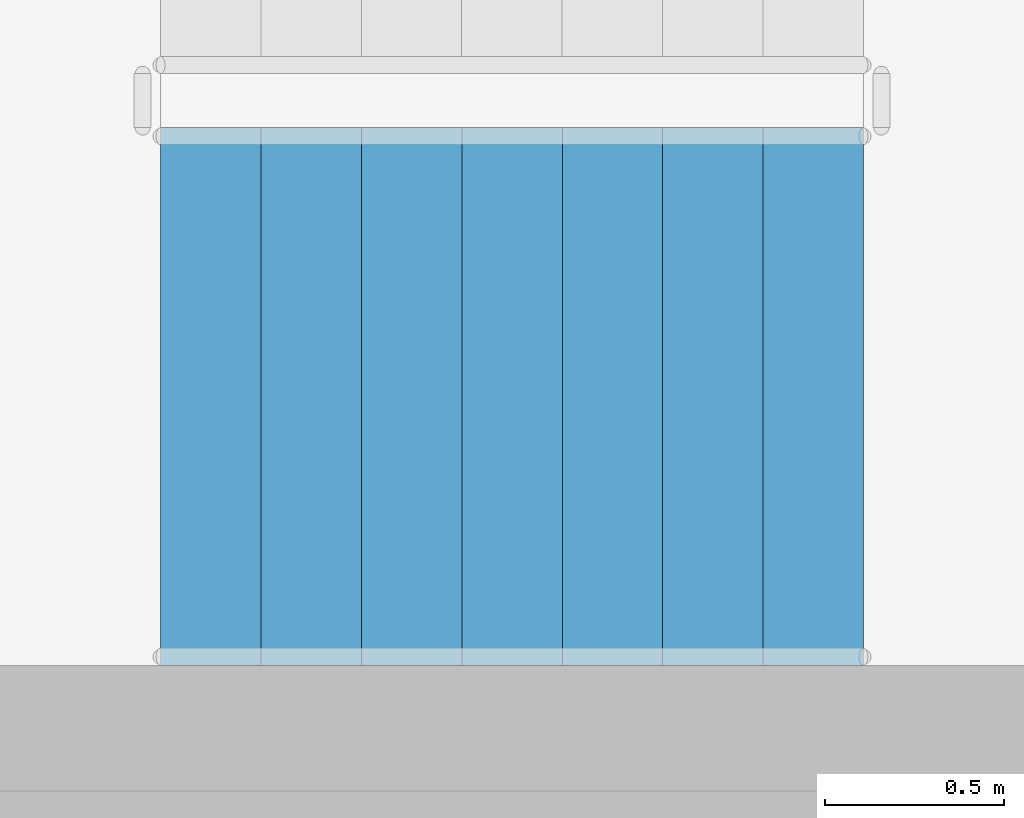
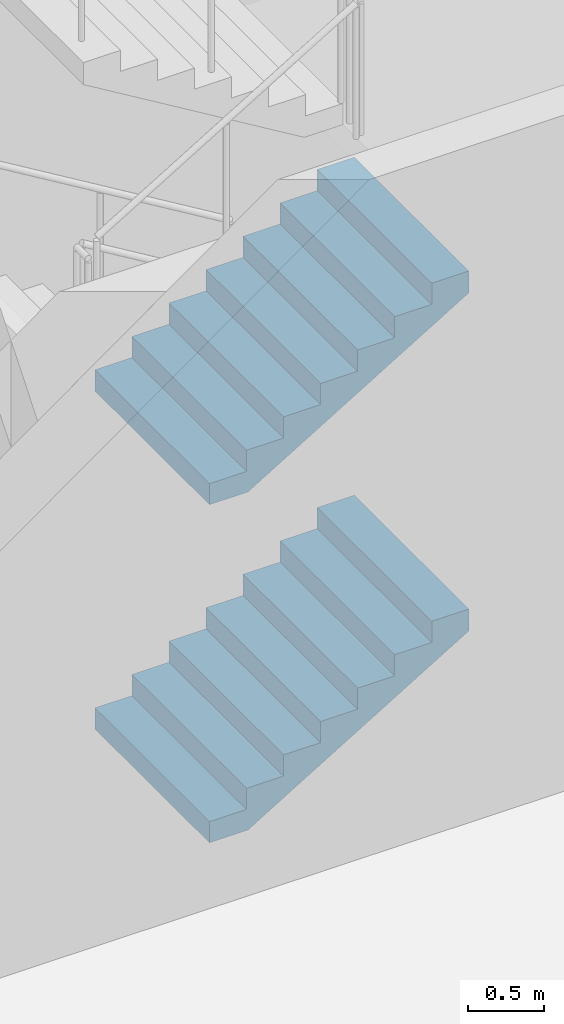
# One storey, part 51 of 101: 2 stair flights, 1 element without a shape of its own.
"""IFC4 building model written with IfcOpenShell, lengths in metres."""

from ifc_helpers import new_model, si_unit, direction, frame, origin, place, context, subcontext, project, spatial, triangles, material, type_object, element, aggregate, save


model = new_model("IFC4")

# Units and contexts
model_context = context("Model", 3, precision=1e-05, world=origin(), true_north=direction((0.0, 1.0)))
body_context = subcontext(model_context, "Body", "Model", "MODEL_VIEW")
ifc_project = project(units=[si_unit("LENGTHUNIT", "METRE"), si_unit("AREAUNIT", "SQUARE_METRE"), si_unit("VOLUMEUNIT", "CUBIC_METRE"), si_unit("PLANEANGLEUNIT", "RADIAN"), si_unit("MASSUNIT", "GRAM", prefix="KILO")], contexts=[model_context])

# Site, building, storey
site_placement = place(None, origin())
site = spatial("IfcSite", under=ifc_project, at=site_placement, CompositionType="ELEMENT")
building_placement = place(site_placement, origin())
building = spatial("IfcBuilding", under=site, at=building_placement, Name="Magnolia Steps Interchange", CompositionType="ELEMENT")
storey_placement = place(building_placement, frame((0.0, 0.0, -5.39990234375)))
storey = spatial("IfcBuildingStorey", under=building, at=storey_placement, Name="B1", CompositionType="ELEMENT", Elevation=-5.39990234375)

# Stair, stair flights
ifc_material_1 = material(Name="Concrete C40", Category="concrete")
stair_type = type_object("IfcStairType", Name="Exit stair 1500", PredefinedType="HALF_TURN_STAIR", material=ifc_material_1)
stair_placement = place(storey_placement, origin())
stair = element("IfcStair", 1, at=stair_placement, inside=storey, type_object=stair_type, Name="B1 Stair 8", PredefinedType="HALF_TURN_STAIR")
ifc_material_2 = material(Name="Concrete C40", Category="concrete")
stair_flight_type = type_object("IfcStairFlightType", Name="Exit stair flight", PredefinedType="STRAIGHT", material=ifc_material_2)
stair_flight_1_placement = place(storey_placement, frame((112.199951171875, 43.64990234375, 0.0), z_axis=(0.0, 0.0, 1.0), x_axis=(1.0, 0.0, 0.0)))
stair_flight_1 = element("IfcStairFlight", 2, at=stair_flight_1_placement, type_object=stair_flight_type, Name="Stair 8 flight 1", NumberOfRisers=8, NumberOfTreads=7, PredefinedType="STRAIGHT", RiserHeight=0.16875, TreadLength=0.28, context=body_context, shape_type="Tessellation", body=[
    triangles([(0.0, -0.75, 0.0), (0.29052734375, -0.75, 0.0), (1.9599609375, -0.75, 1.00634765625), (1.9599609375, -0.75, 1.18115234375), (1.679931640625, -0.75, 1.18115234375), (1.679931640625, -0.75, 1.012451171875), (1.39990234375, -0.75, 1.012451171875), (1.39990234375, -0.75, 0.84375), (1.1201171875, -0.75, 0.84375), (1.1201171875, -0.75, 0.675048828125), (0.840087890625, -0.75, 0.675048828125), (0.840087890625, -0.75, 0.50634765625), (0.56005859375, -0.75, 0.50634765625), (0.56005859375, -0.75, 0.33740234375), (0.280029296875, -0.75, 0.33740234375), (0.280029296875, -0.75, 0.168701171875), (0.0, -0.75, 0.168701171875), (0.0, 0.75, 0.0), (0.29052734375, 0.75, 0.0), (1.9599609375, 0.75, 1.00634765625), (1.9599609375, 0.75, 1.18115234375), (1.679931640625, 0.75, 1.18115234375), (1.679931640625, 0.75, 1.012451171875), (1.39990234375, 0.75, 1.012451171875), (1.39990234375, 0.75, 0.84375), (1.1201171875, 0.75, 0.84375), (1.1201171875, 0.75, 0.675048828125), (0.840087890625, 0.75, 0.675048828125), (0.840087890625, 0.75, 0.50634765625), (0.56005859375, 0.75, 0.50634765625), (0.56005859375, 0.75, 0.33740234375), (0.280029296875, 0.75, 0.33740234375), (0.280029296875, 0.75, 0.168701171875), (0.0, 0.75, 0.168701171875), (0.0, 0.0, 0.0), (0.0, 0.0, 0.04217529296875), (0.0, 0.0, 0.0843505859375), (0.0, 0.0, 0.12652587890625), (0.0, 0.0, 0.168701171875), (0.0, -0.05, 0.0), (0.0, -0.05, 0.168701171875), (0.0, 0.05, 0.0), (0.0, 0.05, 0.168701171875), (0.046671549479166664, 0.0, 0.168701171875), (0.09334309895833333, 0.0, 0.168701171875), (0.1400146484375, 0.0, 0.168701171875), (0.18668619791666666, 0.0, 0.168701171875), (0.23335774739583334, 0.0, 0.168701171875), (0.280029296875, 0.0, 0.168701171875), (0.280029296875, -0.05, 0.168701171875), (0.280029296875, 0.05, 0.168701171875), (0.280029296875, 0.0, 0.21087646484375), (0.280029296875, 0.0, 0.2530517578125), (0.280029296875, 0.0, 0.29522705078125), (0.280029296875, 0.0, 0.33740234375), (0.280029296875, -0.05, 0.33740234375), (0.280029296875, 0.05, 0.33740234375), (0.3267008463541667, 0.0, 0.33740234375), (0.3733723958333333, 0.0, 0.33740234375), (0.4200439453125, 0.0, 0.33740234375), (0.46671549479166663, 0.0, 0.33740234375), (0.5133870442708334, 0.0, 0.33740234375), (0.56005859375, 0.0, 0.33740234375), (0.56005859375, -0.05, 0.33740234375), (0.56005859375, 0.05, 0.33740234375), (0.56005859375, 0.0, 0.379638671875), (0.56005859375, 0.0, 0.421875), (0.56005859375, 0.0, 0.464111328125), (0.56005859375, 0.0, 0.50634765625), (0.56005859375, -0.05, 0.50634765625), (0.56005859375, 0.05, 0.50634765625), (0.6067301432291666, 0.0, 0.50634765625), (0.6534016927083334, 0.0, 0.50634765625), (0.7000732421875, 0.0, 0.50634765625), (0.7467447916666666, 0.0, 0.50634765625), (0.7934163411458334, 0.0, 0.50634765625), (0.840087890625, 0.0, 0.50634765625), (0.840087890625, -0.05, 0.50634765625), (0.840087890625, 0.05, 0.50634765625), (0.840087890625, 0.0, 0.54852294921875), (0.840087890625, 0.0, 0.5906982421875), (0.840087890625, 0.0, 0.63287353515625), (0.840087890625, 0.0, 0.675048828125), (0.840087890625, -0.05, 0.675048828125), (0.840087890625, 0.05, 0.675048828125), (0.8867594401041666, 0.0, 0.675048828125), (0.9334309895833334, 0.0, 0.675048828125), (0.9801025390625, 0.0, 0.675048828125), (1.0267740885416667, 0.0, 0.675048828125), (1.0734456380208333, 0.0, 0.675048828125), (1.1201171875, 0.0, 0.675048828125), (1.1201171875, -0.05, 0.675048828125), (1.1201171875, 0.05, 0.675048828125), (1.1201171875, 0.0, 0.71722412109375), (1.1201171875, 0.0, 0.7593994140625), (1.1201171875, 0.0, 0.80157470703125), (1.1201171875, 0.0, 0.84375), (1.1201171875, -0.05, 0.84375), (1.1201171875, 0.05, 0.84375), (1.1900634765625, 0.0, 0.84375), (1.260009765625, 0.0, 0.84375), (1.3299560546875, 0.0, 0.84375), (1.39990234375, 0.0, 0.84375), (1.39990234375, -0.05, 0.84375), (1.39990234375, 0.05, 0.84375), (1.39990234375, 0.0, 0.88592529296875), (1.39990234375, 0.0, 0.9281005859375), (1.39990234375, 0.0, 0.97027587890625), (1.39990234375, 0.0, 1.012451171875), (1.39990234375, -0.05, 1.012451171875), (1.39990234375, 0.05, 1.012451171875), (1.4465738932291667, 0.0, 1.012451171875), (1.4932454427083333, 0.0, 1.012451171875), (1.5399169921875, 0.0, 1.012451171875), (1.5865885416666667, 0.0, 1.012451171875), (1.6332600911458333, 0.0, 1.012451171875), (1.679931640625, 0.0, 1.012451171875), (1.679931640625, -0.05, 1.012451171875), (1.679931640625, 0.05, 1.012451171875), (1.679931640625, 0.0, 1.05462646484375), (1.679931640625, 0.0, 1.0968017578125), (1.679931640625, 0.0, 1.13897705078125), (1.679931640625, 0.0, 1.18115234375), (1.679931640625, -0.05, 1.18115234375), (1.679931640625, 0.05, 1.18115234375), (1.7266031901041667, 0.0, 1.18115234375), (1.7732747395833333, 0.0, 1.18115234375), (1.8199462890625, 0.0, 1.18115234375), (1.8666178385416667, 0.0, 1.18115234375), (1.9132893880208333, 0.0, 1.18115234375), (1.9599609375, 0.0, 1.18115234375), (1.9599609375, -0.05, 1.18115234375), (1.9599609375, 0.05, 1.18115234375), (1.9599609375, 0.0, 1.137451171875), (1.9599609375, 0.0, 1.09375), (1.9599609375, 0.0, 1.050048828125), (1.9599609375, 0.0, 1.00634765625), (1.9599609375, -0.05, 1.00634765625), (1.9599609375, 0.05, 1.00634765625), (1.9003383091517858, 0.0, 0.9704066685267857), (1.8407156808035714, 0.0, 0.9344656808035714), (1.7810930524553572, 0.0, 0.8985246930803571), (1.7214704241071428, 0.0, 0.8625837053571428), (1.6618477957589286, 0.0, 0.8266427176339286), (1.6022251674107144, 0.0, 0.7907017299107143), (1.5426025390625, 0.0, 0.7547607421875), (1.4829799107142856, 0.0, 0.7188197544642857), (1.4233572823660714, 0.0, 0.6828787667410714), (1.3637346540178572, 0.0, 0.6469377790178572), (1.3041120256696428, 0.0, 0.6109967912946428), (1.2444893973214286, 0.0, 0.5750558035714286), (1.1848667689732144, 0.0, 0.5391148158482143), (1.125244140625, 0.0, 0.503173828125), (1.0656215122767856, 0.0, 0.4672328404017857), (1.0059988839285714, 0.0, 0.4312918526785714), (0.9463762555803572, 0.0, 0.3953508649553571), (0.8867536272321428, 0.0, 0.3594098772321429), (0.8271309988839286, 0.0, 0.3234688895089286), (0.7675083705357142, 0.0, 0.2875279017857143), (0.7078857421875, 0.0, 0.2515869140625), (0.6482631138392858, 0.0, 0.2156459263392857), (0.5886404854910714, 0.0, 0.1797049386160714), (0.5290178571428572, 0.0, 0.1437639508928571), (0.4693952287946428, 0.0, 0.1078229631696429), (0.4097726004464286, 0.0, 0.0718819754464286), (0.3501499720982142, 0.0, 0.0359409877232143), (0.29052734375, 0.0, 0.0), (0.29052734375, -0.05, 0.0), (0.29052734375, 0.05, 0.0), (0.24210611979166666, 0.0, 0.0), (0.19368489583333331, 0.0, 0.0), (0.145263671875, 0.0, 0.0), (0.09684244791666666, 0.0, 0.0), (0.04842122395833334, 0.0, 0.0)], [[1, 2, 3], [3, 4, 5], [3, 5, 6], [3, 6, 7], [3, 7, 8], [8, 9, 10], [3, 8, 10], [10, 11, 12], [3, 10, 12], [12, 13, 14], [3, 12, 14], [14, 15, 16], [3, 14, 16], [1, 3, 16], [16, 17, 1], [18, 20, 19], [20, 22, 21], [20, 23, 22], [20, 24, 23], [20, 25, 24], [25, 27, 26], [20, 27, 25], [27, 29, 28], [20, 29, 27], [29, 31, 30], [20, 31, 29], [31, 33, 32], [20, 33, 31], [18, 33, 20], [33, 18, 34], [1, 17, 41], [1, 41, 40], [40, 36, 35], [40, 37, 36], [40, 41, 37], [41, 38, 37], [41, 39, 38], [18, 43, 34], [18, 42, 43], [42, 35, 36], [42, 36, 37], [42, 37, 43], [43, 37, 38], [43, 38, 39], [17, 16, 50], [17, 50, 41], [41, 44, 39], [41, 45, 44], [41, 46, 45], [41, 50, 46], [50, 47, 46], [50, 48, 47], [50, 49, 48], [34, 51, 33], [34, 43, 51], [43, 39, 44], [43, 44, 45], [43, 45, 46], [43, 46, 51], [51, 46, 47], [51, 47, 48], [51, 48, 49], [16, 15, 56], [16, 56, 50], [50, 52, 49], [50, 53, 52], [50, 56, 53], [56, 54, 53], [56, 55, 54], [33, 57, 32], [33, 51, 57], [51, 49, 52], [51, 52, 53], [51, 53, 57], [57, 53, 54], [57, 54, 55], [15, 14, 64], [15, 64, 56], [56, 58, 55], [56, 59, 58], [56, 60, 59], [56, 64, 60], [64, 61, 60], [64, 62, 61], [64, 63, 62], [32, 65, 31], [32, 57, 65], [57, 55, 58], [57, 58, 59], [57, 59, 60], [57, 60, 65], [65, 60, 61], [65, 61, 62], [65, 62, 63], [14, 13, 70], [14, 70, 64], [64, 66, 63], [64, 67, 66], [64, 70, 67], [70, 68, 67], [70, 69, 68], [31, 71, 30], [31, 65, 71], [65, 63, 66], [65, 66, 67], [65, 67, 71], [71, 67, 68], [71, 68, 69], [13, 12, 78], [13, 78, 70], [70, 72, 69], [70, 73, 72], [70, 74, 73], [70, 78, 74], [78, 75, 74], [78, 76, 75], [78, 77, 76], [30, 79, 29], [30, 71, 79], [71, 69, 72], [71, 72, 73], [71, 73, 74], [71, 74, 79], [79, 74, 75], [79, 75, 76], [79, 76, 77], [12, 11, 84], [12, 84, 78], [78, 80, 77], [78, 81, 80], [78, 84, 81], [84, 82, 81], [84, 83, 82], [29, 85, 28], [29, 79, 85], [79, 77, 80], [79, 80, 81], [79, 81, 85], [85, 81, 82], [85, 82, 83], [11, 10, 92], [11, 92, 84], [84, 86, 83], [84, 87, 86], [84, 88, 87], [84, 92, 88], [92, 89, 88], [92, 90, 89], [92, 91, 90], [28, 93, 27], [28, 85, 93], [85, 83, 86], [85, 86, 87], [85, 87, 88], [85, 88, 93], [93, 88, 89], [93, 89, 90], [93, 90, 91], [10, 9, 98], [10, 98, 92], [92, 94, 91], [92, 95, 94], [92, 98, 95], [98, 96, 95], [98, 97, 96], [27, 99, 26], [27, 93, 99], [93, 91, 94], [93, 94, 95], [93, 95, 99], [99, 95, 96], [99, 96, 97], [9, 8, 104], [9, 104, 98], [98, 100, 97], [98, 101, 100], [98, 104, 101], [104, 102, 101], [104, 103, 102], [26, 105, 25], [26, 99, 105], [99, 97, 100], [99, 100, 101], [99, 101, 105], [105, 101, 102], [105, 102, 103], [8, 7, 110], [8, 110, 104], [104, 106, 103], [104, 107, 106], [104, 110, 107], [110, 108, 107], [110, 109, 108], [25, 111, 24], [25, 105, 111], [105, 103, 106], [105, 106, 107], [105, 107, 111], [111, 107, 108], [111, 108, 109], [7, 6, 118], [7, 118, 110], [110, 112, 109], [110, 113, 112], [110, 114, 113], [110, 118, 114], [118, 115, 114], [118, 116, 115], [118, 117, 116], [24, 119, 23], [24, 111, 119], [111, 109, 112], [111, 112, 113], [111, 113, 114], [111, 114, 119], [119, 114, 115], [119, 115, 116], [119, 116, 117], [6, 5, 124], [6, 124, 118], [118, 120, 117], [118, 121, 120], [118, 124, 121], [124, 122, 121], [124, 123, 122], [23, 125, 22], [23, 119, 125], [119, 117, 120], [119, 120, 121], [119, 121, 125], [125, 121, 122], [125, 122, 123], [5, 4, 132], [5, 132, 124], [124, 126, 123], [124, 127, 126], [124, 128, 127], [124, 132, 128], [132, 129, 128], [132, 130, 129], [132, 131, 130], [22, 133, 21], [22, 125, 133], [125, 123, 126], [125, 126, 127], [125, 127, 128], [125, 128, 133], [133, 128, 129], [133, 129, 130], [133, 130, 131], [4, 3, 138], [4, 138, 132], [132, 134, 131], [132, 135, 134], [132, 138, 135], [138, 136, 135], [138, 137, 136], [21, 139, 20], [21, 133, 139], [133, 131, 134], [133, 134, 135], [133, 135, 139], [139, 135, 136], [139, 136, 137], [3, 2, 168], [3, 168, 138], [138, 140, 137], [138, 141, 140], [138, 142, 141], [138, 143, 142], [138, 144, 143], [138, 145, 144], [138, 146, 145], [138, 147, 146], [138, 148, 147], [138, 149, 148], [138, 150, 149], [138, 151, 150], [138, 152, 151], [138, 153, 152], [138, 168, 153], [168, 154, 153], [168, 155, 154], [168, 156, 155], [168, 157, 156], [168, 158, 157], [168, 159, 158], [168, 160, 159], [168, 161, 160], [168, 162, 161], [168, 163, 162], [168, 164, 163], [168, 165, 164], [168, 166, 165], [168, 167, 166], [20, 169, 19], [20, 139, 169], [139, 137, 140], [139, 140, 141], [139, 141, 142], [139, 142, 143], [139, 143, 144], [139, 144, 145], [139, 145, 146], [139, 146, 147], [139, 147, 148], [139, 148, 149], [139, 149, 150], [139, 150, 151], [139, 151, 152], [139, 152, 153], [139, 153, 169], [169, 153, 154], [169, 154, 155], [169, 155, 156], [169, 156, 157], [169, 157, 158], [169, 158, 159], [169, 159, 160], [169, 160, 161], [169, 161, 162], [169, 162, 163], [169, 163, 164], [169, 164, 165], [169, 165, 166], [169, 166, 167], [2, 1, 40], [2, 40, 168], [168, 170, 167], [168, 171, 170], [168, 172, 171], [168, 40, 172], [40, 173, 172], [40, 174, 173], [40, 35, 174], [19, 42, 18], [19, 169, 42], [169, 167, 170], [169, 170, 171], [169, 171, 172], [169, 172, 42], [42, 172, 173], [42, 173, 174], [42, 174, 35]], closed=True),
])
stair_flight_2_placement = place(storey_placement, frame((112.199951171875, 43.64990234375, 2.699951171875), z_axis=(0.0, 0.0, 1.0), x_axis=(1.0, 0.0, 0.0)))
stair_flight_2 = element("IfcStairFlight", 3, at=stair_flight_2_placement, type_object=stair_flight_type, Name="Stair 8 flight 3", NumberOfRisers=8, NumberOfTreads=7, PredefinedType="STRAIGHT", RiserHeight=0.16875, TreadLength=0.28, context=body_context, shape_type="Tessellation", body=[
    triangles([(0.0, -0.75, 0.0), (0.29052734375, -0.75, 0.0), (1.9599609375, -0.75, 1.00634765625), (1.9599609375, -0.75, 1.18115234375), (1.679931640625, -0.75, 1.18115234375), (1.679931640625, -0.75, 1.012451171875), (1.39990234375, -0.75, 1.012451171875), (1.39990234375, -0.75, 0.84375), (1.1201171875, -0.75, 0.84375), (1.1201171875, -0.75, 0.675048828125), (0.840087890625, -0.75, 0.675048828125), (0.840087890625, -0.75, 0.50634765625), (0.56005859375, -0.75, 0.50634765625), (0.56005859375, -0.75, 0.33740234375), (0.280029296875, -0.75, 0.33740234375), (0.280029296875, -0.75, 0.168701171875), (0.0, -0.75, 0.168701171875), (0.0, 0.75, 0.0), (0.29052734375, 0.75, 0.0), (1.9599609375, 0.75, 1.00634765625), (1.9599609375, 0.75, 1.18115234375), (1.679931640625, 0.75, 1.18115234375), (1.679931640625, 0.75, 1.012451171875), (1.39990234375, 0.75, 1.012451171875), (1.39990234375, 0.75, 0.84375), (1.1201171875, 0.75, 0.84375), (1.1201171875, 0.75, 0.675048828125), (0.840087890625, 0.75, 0.675048828125), (0.840087890625, 0.75, 0.50634765625), (0.56005859375, 0.75, 0.50634765625), (0.56005859375, 0.75, 0.33740234375), (0.280029296875, 0.75, 0.33740234375), (0.280029296875, 0.75, 0.168701171875), (0.0, 0.75, 0.168701171875), (0.0, 0.0, 0.0), (0.0, 0.0, 0.04217529296875), (0.0, 0.0, 0.0843505859375), (0.0, 0.0, 0.12652587890625), (0.0, 0.0, 0.168701171875), (0.0, -0.05, 0.0), (0.0, -0.05, 0.168701171875), (0.0, 0.05, 0.0), (0.0, 0.05, 0.168701171875), (0.046671549479166664, 0.0, 0.168701171875), (0.09334309895833333, 0.0, 0.168701171875), (0.1400146484375, 0.0, 0.168701171875), (0.18668619791666666, 0.0, 0.168701171875), (0.23335774739583334, 0.0, 0.168701171875), (0.280029296875, 0.0, 0.168701171875), (0.280029296875, -0.05, 0.168701171875), (0.280029296875, 0.05, 0.168701171875), (0.280029296875, 0.0, 0.21087646484375), (0.280029296875, 0.0, 0.2530517578125), (0.280029296875, 0.0, 0.29522705078125), (0.280029296875, 0.0, 0.33740234375), (0.280029296875, -0.05, 0.33740234375), (0.280029296875, 0.05, 0.33740234375), (0.3267008463541667, 0.0, 0.33740234375), (0.3733723958333333, 0.0, 0.33740234375), (0.4200439453125, 0.0, 0.33740234375), (0.46671549479166663, 0.0, 0.33740234375), (0.5133870442708334, 0.0, 0.33740234375), (0.56005859375, 0.0, 0.33740234375), (0.56005859375, -0.05, 0.33740234375), (0.56005859375, 0.05, 0.33740234375), (0.56005859375, 0.0, 0.379638671875), (0.56005859375, 0.0, 0.421875), (0.56005859375, 0.0, 0.464111328125), (0.56005859375, 0.0, 0.50634765625), (0.56005859375, -0.05, 0.50634765625), (0.56005859375, 0.05, 0.50634765625), (0.6067301432291666, 0.0, 0.50634765625), (0.6534016927083334, 0.0, 0.50634765625), (0.7000732421875, 0.0, 0.50634765625), (0.7467447916666666, 0.0, 0.50634765625), (0.7934163411458334, 0.0, 0.50634765625), (0.840087890625, 0.0, 0.50634765625), (0.840087890625, -0.05, 0.50634765625), (0.840087890625, 0.05, 0.50634765625), (0.840087890625, 0.0, 0.54852294921875), (0.840087890625, 0.0, 0.5906982421875), (0.840087890625, 0.0, 0.63287353515625), (0.840087890625, 0.0, 0.675048828125), (0.840087890625, -0.05, 0.675048828125), (0.840087890625, 0.05, 0.675048828125), (0.8867594401041666, 0.0, 0.675048828125), (0.9334309895833334, 0.0, 0.675048828125), (0.9801025390625, 0.0, 0.675048828125), (1.0267740885416667, 0.0, 0.675048828125), (1.0734456380208333, 0.0, 0.675048828125), (1.1201171875, 0.0, 0.675048828125), (1.1201171875, -0.05, 0.675048828125), (1.1201171875, 0.05, 0.675048828125), (1.1201171875, 0.0, 0.71722412109375), (1.1201171875, 0.0, 0.7593994140625), (1.1201171875, 0.0, 0.80157470703125), (1.1201171875, 0.0, 0.84375), (1.1201171875, -0.05, 0.84375), (1.1201171875, 0.05, 0.84375), (1.1900634765625, 0.0, 0.84375), (1.260009765625, 0.0, 0.84375), (1.3299560546875, 0.0, 0.84375), (1.39990234375, 0.0, 0.84375), (1.39990234375, -0.05, 0.84375), (1.39990234375, 0.05, 0.84375), (1.39990234375, 0.0, 0.88592529296875), (1.39990234375, 0.0, 0.9281005859375), (1.39990234375, 0.0, 0.97027587890625), (1.39990234375, 0.0, 1.012451171875), (1.39990234375, -0.05, 1.012451171875), (1.39990234375, 0.05, 1.012451171875), (1.4465738932291667, 0.0, 1.012451171875), (1.4932454427083333, 0.0, 1.012451171875), (1.5399169921875, 0.0, 1.012451171875), (1.5865885416666667, 0.0, 1.012451171875), (1.6332600911458333, 0.0, 1.012451171875), (1.679931640625, 0.0, 1.012451171875), (1.679931640625, -0.05, 1.012451171875), (1.679931640625, 0.05, 1.012451171875), (1.679931640625, 0.0, 1.05462646484375), (1.679931640625, 0.0, 1.0968017578125), (1.679931640625, 0.0, 1.13897705078125), (1.679931640625, 0.0, 1.18115234375), (1.679931640625, -0.05, 1.18115234375), (1.679931640625, 0.05, 1.18115234375), (1.7266031901041667, 0.0, 1.18115234375), (1.7732747395833333, 0.0, 1.18115234375), (1.8199462890625, 0.0, 1.18115234375), (1.8666178385416667, 0.0, 1.18115234375), (1.9132893880208333, 0.0, 1.18115234375), (1.9599609375, 0.0, 1.18115234375), (1.9599609375, -0.05, 1.18115234375), (1.9599609375, 0.05, 1.18115234375), (1.9599609375, 0.0, 1.137451171875), (1.9599609375, 0.0, 1.09375), (1.9599609375, 0.0, 1.050048828125), (1.9599609375, 0.0, 1.00634765625), (1.9599609375, -0.05, 1.00634765625), (1.9599609375, 0.05, 1.00634765625), (1.9003383091517858, 0.0, 0.9704066685267857), (1.8407156808035714, 0.0, 0.9344656808035714), (1.7810930524553572, 0.0, 0.8985246930803571), (1.7214704241071428, 0.0, 0.8625837053571428), (1.6618477957589286, 0.0, 0.8266427176339286), (1.6022251674107144, 0.0, 0.7907017299107143), (1.5426025390625, 0.0, 0.7547607421875), (1.4829799107142856, 0.0, 0.7188197544642857), (1.4233572823660714, 0.0, 0.6828787667410714), (1.3637346540178572, 0.0, 0.6469377790178572), (1.3041120256696428, 0.0, 0.6109967912946428), (1.2444893973214286, 0.0, 0.5750558035714286), (1.1848667689732144, 0.0, 0.5391148158482143), (1.125244140625, 0.0, 0.503173828125), (1.0656215122767856, 0.0, 0.4672328404017857), (1.0059988839285714, 0.0, 0.4312918526785714), (0.9463762555803572, 0.0, 0.3953508649553571), (0.8867536272321428, 0.0, 0.3594098772321429), (0.8271309988839286, 0.0, 0.3234688895089286), (0.7675083705357142, 0.0, 0.2875279017857143), (0.7078857421875, 0.0, 0.2515869140625), (0.6482631138392858, 0.0, 0.2156459263392857), (0.5886404854910714, 0.0, 0.1797049386160714), (0.5290178571428572, 0.0, 0.1437639508928571), (0.4693952287946428, 0.0, 0.1078229631696429), (0.4097726004464286, 0.0, 0.0718819754464286), (0.3501499720982142, 0.0, 0.0359409877232143), (0.29052734375, 0.0, 0.0), (0.29052734375, -0.05, 0.0), (0.29052734375, 0.05, 0.0), (0.24210611979166666, 0.0, 0.0), (0.19368489583333331, 0.0, 0.0), (0.145263671875, 0.0, 0.0), (0.09684244791666666, 0.0, 0.0), (0.04842122395833334, 0.0, 0.0)], [[1, 2, 3], [3, 4, 5], [3, 5, 6], [3, 6, 7], [3, 7, 8], [8, 9, 10], [3, 8, 10], [10, 11, 12], [3, 10, 12], [12, 13, 14], [3, 12, 14], [14, 15, 16], [3, 14, 16], [1, 3, 16], [16, 17, 1], [18, 20, 19], [20, 22, 21], [20, 23, 22], [20, 24, 23], [20, 25, 24], [25, 27, 26], [20, 27, 25], [27, 29, 28], [20, 29, 27], [29, 31, 30], [20, 31, 29], [31, 33, 32], [20, 33, 31], [18, 33, 20], [33, 18, 34], [1, 17, 41], [1, 41, 40], [40, 36, 35], [40, 37, 36], [40, 41, 37], [41, 38, 37], [41, 39, 38], [18, 43, 34], [18, 42, 43], [42, 35, 36], [42, 36, 37], [42, 37, 43], [43, 37, 38], [43, 38, 39], [17, 16, 50], [17, 50, 41], [41, 44, 39], [41, 45, 44], [41, 46, 45], [41, 50, 46], [50, 47, 46], [50, 48, 47], [50, 49, 48], [34, 51, 33], [34, 43, 51], [43, 39, 44], [43, 44, 45], [43, 45, 46], [43, 46, 51], [51, 46, 47], [51, 47, 48], [51, 48, 49], [16, 15, 56], [16, 56, 50], [50, 52, 49], [50, 53, 52], [50, 56, 53], [56, 54, 53], [56, 55, 54], [33, 57, 32], [33, 51, 57], [51, 49, 52], [51, 52, 53], [51, 53, 57], [57, 53, 54], [57, 54, 55], [15, 14, 64], [15, 64, 56], [56, 58, 55], [56, 59, 58], [56, 60, 59], [56, 64, 60], [64, 61, 60], [64, 62, 61], [64, 63, 62], [32, 65, 31], [32, 57, 65], [57, 55, 58], [57, 58, 59], [57, 59, 60], [57, 60, 65], [65, 60, 61], [65, 61, 62], [65, 62, 63], [14, 13, 70], [14, 70, 64], [64, 66, 63], [64, 67, 66], [64, 70, 67], [70, 68, 67], [70, 69, 68], [31, 71, 30], [31, 65, 71], [65, 63, 66], [65, 66, 67], [65, 67, 71], [71, 67, 68], [71, 68, 69], [13, 12, 78], [13, 78, 70], [70, 72, 69], [70, 73, 72], [70, 74, 73], [70, 78, 74], [78, 75, 74], [78, 76, 75], [78, 77, 76], [30, 79, 29], [30, 71, 79], [71, 69, 72], [71, 72, 73], [71, 73, 74], [71, 74, 79], [79, 74, 75], [79, 75, 76], [79, 76, 77], [12, 11, 84], [12, 84, 78], [78, 80, 77], [78, 81, 80], [78, 84, 81], [84, 82, 81], [84, 83, 82], [29, 85, 28], [29, 79, 85], [79, 77, 80], [79, 80, 81], [79, 81, 85], [85, 81, 82], [85, 82, 83], [11, 10, 92], [11, 92, 84], [84, 86, 83], [84, 87, 86], [84, 88, 87], [84, 92, 88], [92, 89, 88], [92, 90, 89], [92, 91, 90], [28, 93, 27], [28, 85, 93], [85, 83, 86], [85, 86, 87], [85, 87, 88], [85, 88, 93], [93, 88, 89], [93, 89, 90], [93, 90, 91], [10, 9, 98], [10, 98, 92], [92, 94, 91], [92, 95, 94], [92, 98, 95], [98, 96, 95], [98, 97, 96], [27, 99, 26], [27, 93, 99], [93, 91, 94], [93, 94, 95], [93, 95, 99], [99, 95, 96], [99, 96, 97], [9, 8, 104], [9, 104, 98], [98, 100, 97], [98, 101, 100], [98, 104, 101], [104, 102, 101], [104, 103, 102], [26, 105, 25], [26, 99, 105], [99, 97, 100], [99, 100, 101], [99, 101, 105], [105, 101, 102], [105, 102, 103], [8, 7, 110], [8, 110, 104], [104, 106, 103], [104, 107, 106], [104, 110, 107], [110, 108, 107], [110, 109, 108], [25, 111, 24], [25, 105, 111], [105, 103, 106], [105, 106, 107], [105, 107, 111], [111, 107, 108], [111, 108, 109], [7, 6, 118], [7, 118, 110], [110, 112, 109], [110, 113, 112], [110, 114, 113], [110, 118, 114], [118, 115, 114], [118, 116, 115], [118, 117, 116], [24, 119, 23], [24, 111, 119], [111, 109, 112], [111, 112, 113], [111, 113, 114], [111, 114, 119], [119, 114, 115], [119, 115, 116], [119, 116, 117], [6, 5, 124], [6, 124, 118], [118, 120, 117], [118, 121, 120], [118, 124, 121], [124, 122, 121], [124, 123, 122], [23, 125, 22], [23, 119, 125], [119, 117, 120], [119, 120, 121], [119, 121, 125], [125, 121, 122], [125, 122, 123], [5, 4, 132], [5, 132, 124], [124, 126, 123], [124, 127, 126], [124, 128, 127], [124, 132, 128], [132, 129, 128], [132, 130, 129], [132, 131, 130], [22, 133, 21], [22, 125, 133], [125, 123, 126], [125, 126, 127], [125, 127, 128], [125, 128, 133], [133, 128, 129], [133, 129, 130], [133, 130, 131], [4, 3, 138], [4, 138, 132], [132, 134, 131], [132, 135, 134], [132, 138, 135], [138, 136, 135], [138, 137, 136], [21, 139, 20], [21, 133, 139], [133, 131, 134], [133, 134, 135], [133, 135, 139], [139, 135, 136], [139, 136, 137], [3, 2, 168], [3, 168, 138], [138, 140, 137], [138, 141, 140], [138, 142, 141], [138, 143, 142], [138, 144, 143], [138, 145, 144], [138, 146, 145], [138, 147, 146], [138, 148, 147], [138, 149, 148], [138, 150, 149], [138, 151, 150], [138, 152, 151], [138, 153, 152], [138, 168, 153], [168, 154, 153], [168, 155, 154], [168, 156, 155], [168, 157, 156], [168, 158, 157], [168, 159, 158], [168, 160, 159], [168, 161, 160], [168, 162, 161], [168, 163, 162], [168, 164, 163], [168, 165, 164], [168, 166, 165], [168, 167, 166], [20, 169, 19], [20, 139, 169], [139, 137, 140], [139, 140, 141], [139, 141, 142], [139, 142, 143], [139, 143, 144], [139, 144, 145], [139, 145, 146], [139, 146, 147], [139, 147, 148], [139, 148, 149], [139, 149, 150], [139, 150, 151], [139, 151, 152], [139, 152, 153], [139, 153, 169], [169, 153, 154], [169, 154, 155], [169, 155, 156], [169, 156, 157], [169, 157, 158], [169, 158, 159], [169, 159, 160], [169, 160, 161], [169, 161, 162], [169, 162, 163], [169, 163, 164], [169, 164, 165], [169, 165, 166], [169, 166, 167], [2, 1, 40], [2, 40, 168], [168, 170, 167], [168, 171, 170], [168, 172, 171], [168, 40, 172], [40, 173, 172], [40, 174, 173], [40, 35, 174], [19, 42, 18], [19, 169, 42], [169, 167, 170], [169, 170, 171], [169, 171, 172], [169, 172, 42], [42, 172, 173], [42, 173, 174], [42, 174, 35]], closed=True),
])
aggregate(stair, [stair_flight_1, stair_flight_2])

save(model, "model.ifc")
